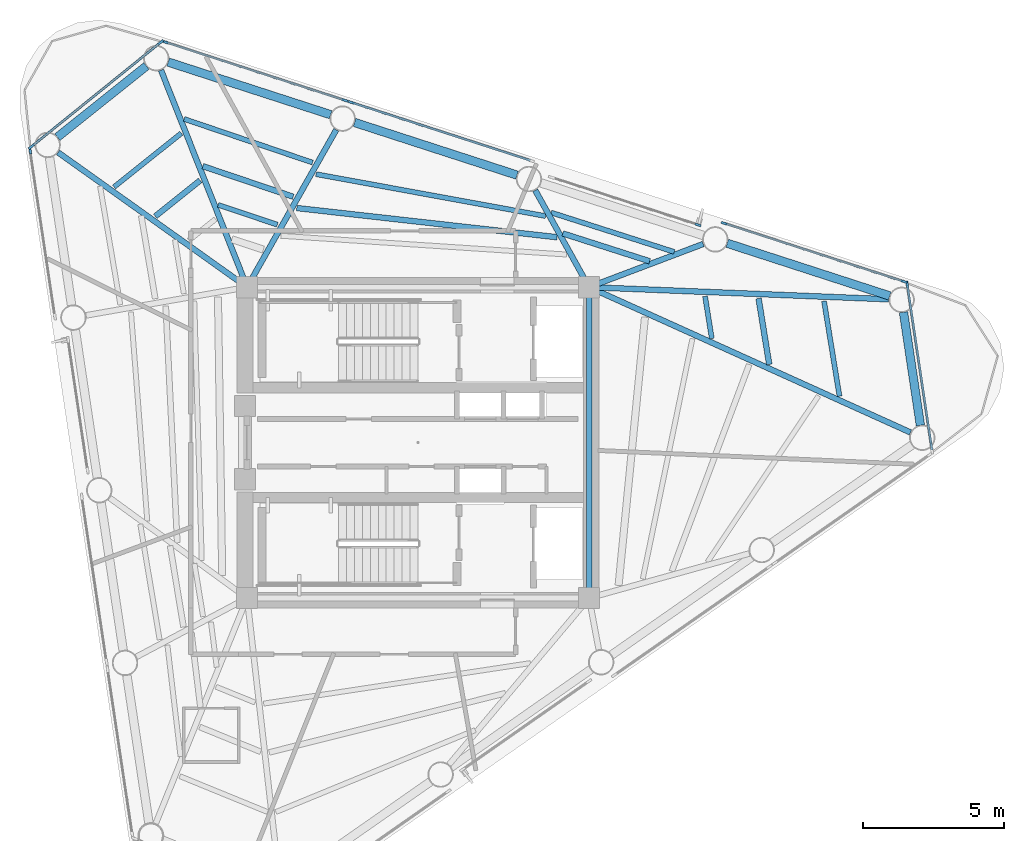
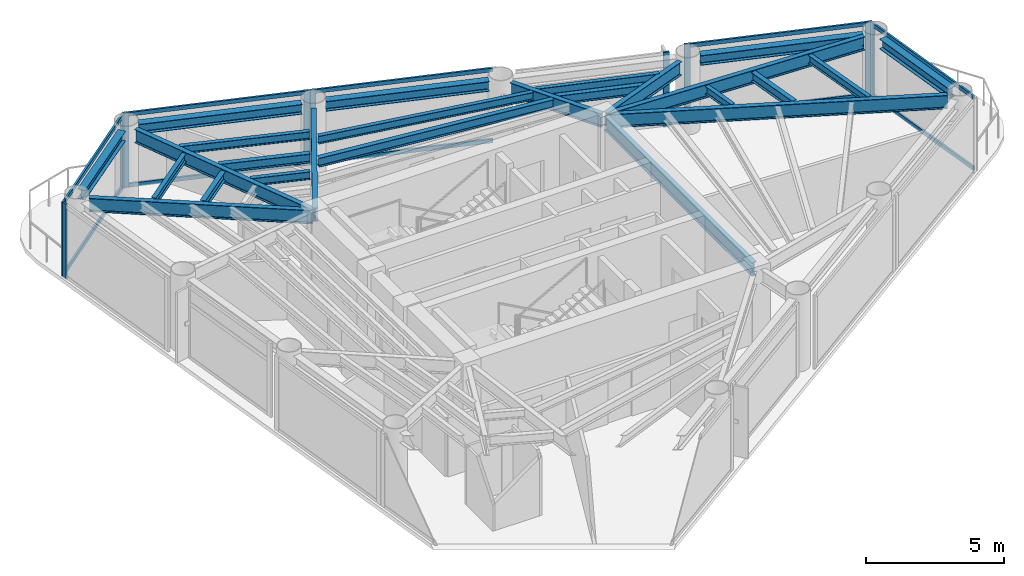
# One storey, part 3 of 9: 25 beams, 20 members, 7 elements without a shape of their own.
"""IFC4 building model written with IfcOpenShell, lengths in metres."""

from ifc_helpers import new_model, si_unit, direction, frame, origin, origin_2d, place, context, subcontext, project, spatial, rectangle, i_section, extrude, source, transform, mapped, material, layer, layer_set, material_profile, profile_set, type_object, element, aggregate, save


model = new_model("IFC4")

# Units and contexts
model_context = context("Model", 3, precision=1e-05, world=origin(), true_north=direction((0.0, 1.0)))
body_context = subcontext(model_context, "Body", "Model", "MODEL_VIEW")
ifc_project = project(units=[si_unit("LENGTHUNIT", "METRE"), si_unit("AREAUNIT", "SQUARE_METRE"), si_unit("VOLUMEUNIT", "CUBIC_METRE"), si_unit("PLANEANGLEUNIT", "RADIAN"), si_unit("MASSUNIT", "GRAM", prefix="KILO")], contexts=[model_context])

# Site, building, storey
site_placement = place(None, origin())
site = spatial("IfcSite", under=ifc_project, at=site_placement, CompositionType="ELEMENT")
building_placement = place(site_placement, origin())
building = spatial("IfcBuilding", under=site, at=building_placement, Name="Yunling Apex Tower", CompositionType="ELEMENT")
storey_placement = place(building_placement, frame((0.0, 0.0, 271.14990234375)))
storey = spatial("IfcBuildingStorey", under=building, at=storey_placement, Name="L66", CompositionType="ELEMENT", Elevation=271.14990234375)

# Beams
ifc_material_1 = material(Name="Steel Q355B", Category="steel")
ifc_material_profile_1 = material_profile(ifc_material_1, i_section(OverallWidth=0.199951171875, OverallDepth=0.60009765625, WebThickness=0.010986328125, FlangeThickness=0.01708984375, FilletRadius=0.02197265625, at=origin_2d()))
ifc_profile_set_1 = profile_set([ifc_material_profile_1], Name="Steel Q355B")
beam_type_1 = type_object("IfcBeamType", Name="BG-PRI-5", PredefinedType="USERDEFINED", material=ifc_profile_set_1)
shared_shape_1 = source(origin(), body_context, "Body", "SweptSolid", [
    extrude(i_section(OverallWidth=0.199951171875, OverallDepth=0.60009765625, WebThickness=0.010986328125, FlangeThickness=0.01708984375, FilletRadius=0.02197265625, at=origin_2d()), origin(), (0.0, 0.0, 1.0), 10.7001953125),
])
beam_1_placement = place(storey_placement, frame((6.050048828125, -5.35009765625, 2.920166015625), z_axis=(0.0, 1.0, 0.0), x_axis=(-1.0, 0.0, 0.0)))
element("IfcBeam", 1, at=beam_1_placement, inside=storey, type_object=beam_type_1, Name="L66 Core Ring Tie Beam 2", ObjectType="GIRDER", PredefinedType="USERDEFINED", context=body_context, shape_type="MappedRepresentation", body=[
    mapped(shared_shape_1, transform((0.0, 0.0, 0.0), scale=1.0)),
])
ifc_material_profile_2 = material_profile(ifc_material_1, i_section(OverallWidth=0.300048828125, OverallDepth=0.43994140625, WebThickness=0.010986328125, FlangeThickness=0.01806640625, FilletRadius=0.02197265625, at=origin_2d()))
ifc_profile_set_2 = profile_set([ifc_material_profile_2], Name="Steel Q355B")
beam_type_2 = type_object("IfcBeamType", Name="BP-SPN-3", PredefinedType="SPANDREL", material=ifc_profile_set_2)
shared_shape_2 = source(origin(), body_context, "Body", "SweptSolid", [
    extrude(i_section(OverallWidth=0.300048828125, OverallDepth=0.43994140625, WebThickness=0.010986328125, FlangeThickness=0.01806640625, FilletRadius=0.02197265625, at=origin_2d()), origin(), (0.0, 0.0, 1.0), 6.043701171875),
])
for number, where, z_axis, x_axis, name in (
    (2, (16.687744140625, 5.189208984375, 3.0), (-0.951260618597, 0.308388124782, 0.0), (-0.308388124782, -0.951260618597, 0.0), "L66 Perimeter Spandrel Beam 6"),
    (3, (3.5, 9.464111328125, 3.0), (-0.951264460229, 0.30837627455, 0.0), (-0.30837627455, -0.951264460229, 0.0), "L66 Perimeter Spandrel Beam 8"),
    (4, (-3.093994140625, 11.601806640625, 3.0), (-0.951276309474, 0.308339720167, 0.0), (-0.308339720167, -0.951276309474, 0.0), "L66 Perimeter Spandrel Beam 9"),
):
    element("IfcBeam", number, at=place(storey_placement, frame(where, z_axis=z_axis, x_axis=x_axis)), inside=storey, type_object=beam_type_2, Name=name, PredefinedType="SPANDREL", context=body_context, shape_type="MappedRepresentation", body=[
        mapped(shared_shape_2, transform((0.0, 0.0, 0.0), scale=1.0)),
    ])
shared_shape_3 = source(origin(), body_context, "Body", "SweptSolid", [
    extrude(i_section(OverallWidth=0.300048828125, OverallDepth=0.43994140625, WebThickness=0.010986328125, FlangeThickness=0.01806640625, FilletRadius=0.02197265625, at=origin_2d()), origin(), (0.0, 0.0, 1.0), 4.047607421875),
])
beam_2_placement = place(storey_placement, frame((17.774169921875, 0.610107421875, 3.0), z_axis=(-0.147836074483, 0.98901187813, 0.0), x_axis=(-0.98901187813, -0.147836074483, 0.0)))
element("IfcBeam", 5, at=beam_2_placement, inside=storey, type_object=beam_type_2, Name="L66 Perimeter Spandrel Beam 5", PredefinedType="SPANDREL", context=body_context, shape_type="MappedRepresentation", body=[
    mapped(shared_shape_3, transform((0.0, 0.0, 0.0), scale=1.0)),
])
shared_shape_4 = source(origin(), body_context, "Body", "SweptSolid", [
    extrude(i_section(OverallWidth=0.300048828125, OverallDepth=0.43994140625, WebThickness=0.010986328125, FlangeThickness=0.01806640625, FilletRadius=0.02197265625, at=origin_2d()), origin(), (0.0, 0.0, 1.0), 4.03125),
])
beam_3_placement = place(storey_placement, frame((-9.612548828125, 13.3251953125, 3.0), z_axis=(-0.781412081213, -0.624015351842, 0.0), x_axis=(0.624015351842, -0.781412081213, 0.0)))
element("IfcBeam", 6, at=beam_3_placement, inside=storey, type_object=beam_type_2, Name="L66 Perimeter Spandrel Beam 10", PredefinedType="SPANDREL", context=body_context, shape_type="MappedRepresentation", body=[
    mapped(shared_shape_4, transform((0.0, 0.0, 0.0), scale=1.0)),
])
shared_shape_5 = source(origin(), body_context, "Body", "SweptSolid", [
    extrude(i_section(OverallWidth=0.199951171875, OverallDepth=0.60009765625, WebThickness=0.010986328125, FlangeThickness=0.01708984375, FilletRadius=0.02197265625, at=origin_2d()), origin(), (0.0, 0.0, 1.0), 12.400146484375),
])
beam_4_placement = place(storey_placement, frame((17.42236328125, 0.359619140625, 2.920166015625), z_axis=(-0.911237617223, 0.411881056809, 0.0), x_axis=(-0.411881056809, -0.911237617223, 0.0)))
element("IfcBeam", 7, at=beam_4_placement, inside=storey, type_object=beam_type_1, Name="L66 Radial Primary Girder R05", ObjectType="GIRDER", PredefinedType="USERDEFINED", context=body_context, shape_type="MappedRepresentation", body=[
    mapped(shared_shape_5, transform((0.0, 0.0, 0.0), scale=1.0)),
])
shared_shape_6 = source(origin(), body_context, "Body", "SweptSolid", [
    extrude(i_section(OverallWidth=0.199951171875, OverallDepth=0.60009765625, WebThickness=0.010986328125, FlangeThickness=0.01708984375, FilletRadius=0.02197265625, at=origin_2d()), origin(), (0.0, 0.0, 1.0), 10.53125),
])
beam_5_placement = place(storey_placement, frame((16.652587890625, 5.07080078125, 2.920166015625), z_axis=(-0.99918143594, 0.040453158992, 0.0), x_axis=(-0.040453158992, -0.99918143594, 0.0)))
element("IfcBeam", 8, at=beam_5_placement, inside=storey, type_object=beam_type_1, Name="L66 Radial Primary Girder R06", ObjectType="GIRDER", PredefinedType="USERDEFINED", context=body_context, shape_type="MappedRepresentation", body=[
    mapped(shared_shape_6, transform((0.0, 0.0, 0.0), scale=1.0)),
])
shared_shape_7 = source(origin(), body_context, "Body", "SweptSolid", [
    extrude(i_section(OverallWidth=0.199951171875, OverallDepth=0.60009765625, WebThickness=0.010986328125, FlangeThickness=0.01708984375, FilletRadius=0.02197265625, at=origin_2d()), origin(), (0.0, 0.0, 1.0), 4.2373046875),
])
beam_6_placement = place(storey_placement, frame((10.087890625, 7.02783203125, 2.920166015625), z_axis=(-0.935290380754, -0.353881199938, 0.0), x_axis=(0.353881199938, -0.935290380754, 0.0)))
element("IfcBeam", 9, at=beam_6_placement, inside=storey, type_object=beam_type_1, Name="L66 Radial Primary Girder R07", ObjectType="GIRDER", PredefinedType="USERDEFINED", context=body_context, shape_type="MappedRepresentation", body=[
    mapped(shared_shape_7, transform((0.0, 0.0, 0.0), scale=1.0)),
])
shared_shape_8 = source(origin(), body_context, "Body", "SweptSolid", [
    extrude(i_section(OverallWidth=0.199951171875, OverallDepth=0.60009765625, WebThickness=0.010986328125, FlangeThickness=0.01708984375, FilletRadius=0.02197265625, at=origin_2d()), origin(), (0.0, 0.0, 1.0), 3.841064453125),
])
beam_7_placement = place(storey_placement, frame((4.144775390625, 8.927001953125, 2.920166015625), z_axis=(0.485864181632, -0.874034322557, 0.0), x_axis=(0.874034322557, 0.485864181632, 0.0)))
element("IfcBeam", 10, at=beam_7_placement, inside=storey, type_object=beam_type_1, Name="L66 Radial Primary Girder R08", ObjectType="GIRDER", PredefinedType="USERDEFINED", context=body_context, shape_type="MappedRepresentation", body=[
    mapped(shared_shape_8, transform((0.0, 0.0, 0.0), scale=1.0)),
])
shared_shape_9 = source(origin(), body_context, "Body", "SweptSolid", [
    extrude(i_section(OverallWidth=0.199951171875, OverallDepth=0.60009765625, WebThickness=0.010986328125, FlangeThickness=0.01708984375, FilletRadius=0.02197265625, at=origin_2d()), origin(), (0.0, 0.0, 1.0), 6.317138671875),
])
beam_8_placement = place(storey_placement, frame((-2.8974609375, 11.06640625, 2.920166015625), z_axis=(-0.492793153417, -0.870146486487, 0.0), x_axis=(0.870146486487, -0.492793153417, 0.0)))
element("IfcBeam", 11, at=beam_8_placement, inside=storey, type_object=beam_type_1, Name="L66 Radial Primary Girder R09", ObjectType="GIRDER", PredefinedType="USERDEFINED", context=body_context, shape_type="MappedRepresentation", body=[
    mapped(shared_shape_9, transform((0.0, 0.0, 0.0), scale=1.0)),
])
shared_shape_10 = source(origin(), body_context, "Body", "SweptSolid", [
    extrude(i_section(OverallWidth=0.199951171875, OverallDepth=0.60009765625, WebThickness=0.010986328125, FlangeThickness=0.01708984375, FilletRadius=0.02197265625, at=origin_2d()), origin(), (0.0, 0.0, 1.0), 8.178955078125),
])
beam_9_placement = place(storey_placement, frame((-9.0966796875, 13.176513671875, 2.920166015625), z_axis=(0.368888092437, -0.929473816338, 0.0), x_axis=(0.929473816338, 0.368888092437, 0.0)))
element("IfcBeam", 12, at=beam_9_placement, inside=storey, type_object=beam_type_1, Name="L66 Radial Primary Girder R10", ObjectType="GIRDER", PredefinedType="USERDEFINED", context=body_context, shape_type="MappedRepresentation", body=[
    mapped(shared_shape_10, transform((0.0, 0.0, 0.0), scale=1.0)),
])
shared_shape_11 = source(origin(), body_context, "Body", "SweptSolid", [
    extrude(i_section(OverallWidth=0.199951171875, OverallDepth=0.60009765625, WebThickness=0.010986328125, FlangeThickness=0.01708984375, FilletRadius=0.02197265625, at=origin_2d()), origin(), (0.0, 0.0, 1.0), 8.132080078125),
])
beam_10_placement = place(storey_placement, frame((-12.73681640625, 10.2666015625, 2.920166015625), z_axis=(0.814294994921, -0.580451256564, 0.0), x_axis=(0.580451256564, 0.814294994921, 0.0)))
element("IfcBeam", 13, at=beam_10_placement, inside=storey, type_object=beam_type_1, Name="L66 Radial Primary Girder R11", ObjectType="GIRDER", PredefinedType="USERDEFINED", context=body_context, shape_type="MappedRepresentation", body=[
    mapped(shared_shape_11, transform((0.0, 0.0, 0.0), scale=1.0)),
])
ifc_material_profile_3 = material_profile(ifc_material_1, i_section(OverallWidth=0.199951171875, OverallDepth=0.39990234375, WebThickness=0.008056640625, FlangeThickness=0.012939453125, FilletRadius=0.01611328125, at=origin_2d()))
ifc_profile_set_3 = profile_set([ifc_material_profile_3], Name="Steel Q355B")
beam_type_3 = type_object("IfcBeamType", Name="BS-SEC-4", PredefinedType="BEAM", material=ifc_profile_set_3)
shared_shape_12 = source(origin(), body_context, "Body", "SweptSolid", [
    extrude(i_section(OverallWidth=0.199951171875, OverallDepth=0.39990234375, WebThickness=0.008056640625, FlangeThickness=0.012939453125, FilletRadius=0.01611328125, at=origin_2d()), origin(), (0.0, 0.0, 1.0), 2.36572265625),
])
beam_11_placement = place(storey_placement, frame((12.425048828125, 2.764892578125, 3.02001953125), z_axis=(-0.159342756426, 0.987223321227, 0.0), x_axis=(-0.987223321227, -0.159342756426, 0.0)))
element("IfcBeam", 14, at=beam_11_placement, inside=storey, type_object=beam_type_3, Name="L66 Composite Floor Beam BS-5", PredefinedType="BEAM", context=body_context, shape_type="MappedRepresentation", body=[
    mapped(shared_shape_12, transform((0.0, 0.0, 0.0), scale=1.0)),
])
ifc_material_profile_4 = material_profile(ifc_material_1, i_section(OverallWidth=0.175048828125, OverallDepth=0.35009765625, WebThickness=0.007080078125, FlangeThickness=0.010986328125, FilletRadius=0.013916015625, at=origin_2d()))
ifc_profile_set_4 = profile_set([ifc_material_profile_4], Name="Steel Q355B")
beam_type_4 = type_object("IfcBeamType", Name="BJ-JST-1", PredefinedType="JOIST", material=ifc_profile_set_4)
shared_shape_13 = source(origin(), body_context, "Body", "SweptSolid", [
    extrude(i_section(OverallWidth=0.175048828125, OverallDepth=0.35009765625, WebThickness=0.007080078125, FlangeThickness=0.010986328125, FilletRadius=0.013916015625, at=origin_2d()), origin(), (0.0, 0.0, 1.0), 3.40966796875),
])
beam_12_placement = place(storey_placement, frame((14.910888671875, 1.64111328125, 3.045166015625), z_axis=(-0.160600982695, 0.987019414377, 0.0), x_axis=(-0.987019414377, -0.160600982695, 0.0)))
element("IfcBeam", 15, at=beam_12_placement, inside=storey, type_object=beam_type_4, Name="L66 Composite Floor Joist BJ1-5", PredefinedType="JOIST", context=body_context, shape_type="MappedRepresentation", body=[
    mapped(shared_shape_13, transform((0.0, 0.0, 0.0), scale=1.0)),
])
shared_shape_14 = source(origin(), body_context, "Body", "SweptSolid", [
    extrude(i_section(OverallWidth=0.175048828125, OverallDepth=0.35009765625, WebThickness=0.007080078125, FlangeThickness=0.010986328125, FilletRadius=0.013916015625, at=origin_2d()), origin(), (0.0, 0.0, 1.0), 1.51171875),
])
beam_13_placement = place(storey_placement, frame((10.3916015625, 3.68408203125, 3.045166015625), z_axis=(-0.157297614413, 0.987551244493, 0.0), x_axis=(-0.987551244493, -0.157297614413, 0.0)))
element("IfcBeam", 16, at=beam_13_placement, inside=storey, type_object=beam_type_4, Name="L66 Composite Floor Joist BJ3-5", PredefinedType="JOIST", context=body_context, shape_type="MappedRepresentation", body=[
    mapped(shared_shape_14, transform((0.0, 0.0, 0.0), scale=1.0)),
])
shared_shape_15 = source(origin(), body_context, "Body", "SweptSolid", [
    extrude(i_section(OverallWidth=0.199951171875, OverallDepth=0.39990234375, WebThickness=0.008056640625, FlangeThickness=0.012939453125, FilletRadius=0.01611328125, at=origin_2d()), origin(), (0.0, 0.0, 1.0), 3.22705078125),
])
beam_14_placement = place(storey_placement, frame((8.191650390625, 6.416748046875, 3.02001953125), z_axis=(-0.952339781695, 0.305039243708, 0.0), x_axis=(-0.305039243708, -0.952339781695, 0.0)))
element("IfcBeam", 17, at=beam_14_placement, inside=storey, type_object=beam_type_3, Name="L66 Composite Floor Beam BS-7", PredefinedType="BEAM", context=body_context, shape_type="MappedRepresentation", body=[
    mapped(shared_shape_15, transform((0.0, 0.0, 0.0), scale=1.0)),
])
shared_shape_16 = source(origin(), body_context, "Body", "SweptSolid", [
    extrude(i_section(OverallWidth=0.175048828125, OverallDepth=0.35009765625, WebThickness=0.007080078125, FlangeThickness=0.010986328125, FilletRadius=0.013916015625, at=origin_2d()), origin(), (0.0, 0.0, 1.0), 4.572998046875),
])
beam_15_placement = place(storey_placement, frame((9.0634765625, 6.74658203125, 3.045166015625), z_axis=(-0.952472485452, 0.304624628776, 0.0), x_axis=(-0.304624628776, -0.952472485452, 0.0)))
element("IfcBeam", 18, at=beam_15_placement, inside=storey, type_object=beam_type_4, Name="L66 Composite Floor Joist BJ1-7", PredefinedType="JOIST", context=body_context, shape_type="MappedRepresentation", body=[
    mapped(shared_shape_16, transform((0.0, 0.0, 0.0), scale=1.0)),
])
shared_shape_17 = source(origin(), body_context, "Body", "SweptSolid", [
    extrude(i_section(OverallWidth=0.199951171875, OverallDepth=0.39990234375, WebThickness=0.008056640625, FlangeThickness=0.012939453125, FilletRadius=0.01611328125, at=origin_2d()), origin(), (0.0, 0.0, 1.0), 9.271728515625),
])
beam_16_placement = place(storey_placement, frame((4.9189453125, 7.266357421875, 3.02001953125), z_axis=(-0.993765641634, 0.111489234941, 0.0), x_axis=(-0.111489234941, -0.993765641634, 0.0)))
element("IfcBeam", 19, at=beam_16_placement, inside=storey, type_object=beam_type_3, Name="L66 Composite Floor Beam BS-8", PredefinedType="BEAM", context=body_context, shape_type="MappedRepresentation", body=[
    mapped(shared_shape_17, transform((0.0, 0.0, 0.0), scale=1.0)),
])
shared_shape_18 = source(origin(), body_context, "Body", "SweptSolid", [
    extrude(i_section(OverallWidth=0.175048828125, OverallDepth=0.35009765625, WebThickness=0.007080078125, FlangeThickness=0.010986328125, FilletRadius=0.013916015625, at=origin_2d()), origin(), (0.0, 0.0, 1.0), 8.256103515625),
])
beam_17_placement = place(storey_placement, frame((4.510009765625, 8.015625, 3.045166015625), z_axis=(-0.983737162393, 0.179614017626, 0.0), x_axis=(-0.179614017626, -0.983737162393, 0.0)))
element("IfcBeam", 20, at=beam_17_placement, inside=storey, type_object=beam_type_4, Name="L66 Composite Floor Joist BJ1-8", PredefinedType="JOIST", context=body_context, shape_type="MappedRepresentation", body=[
    mapped(shared_shape_18, transform((0.0, 0.0, 0.0), scale=1.0)),
])
shared_shape_19 = source(origin(), body_context, "Body", "SweptSolid", [
    extrude(i_section(OverallWidth=0.199951171875, OverallDepth=0.39990234375, WebThickness=0.008056640625, FlangeThickness=0.012939453125, FilletRadius=0.01611328125, at=origin_2d()), origin(), (0.0, 0.0, 1.0), 3.37646484375),
])
beam_18_placement = place(storey_placement, frame((-4.418701171875, 8.698974609375, 3.02001953125), z_axis=(-0.947337172377, 0.320237851966, 0.0), x_axis=(-0.320237851966, -0.947337172377, 0.0)))
element("IfcBeam", 21, at=beam_18_placement, inside=storey, type_object=beam_type_3, Name="L66 Composite Floor Beam BS-9", PredefinedType="BEAM", context=body_context, shape_type="MappedRepresentation", body=[
    mapped(shared_shape_19, transform((0.0, 0.0, 0.0), scale=1.0)),
])
shared_shape_20 = source(origin(), body_context, "Body", "SweptSolid", [
    extrude(i_section(OverallWidth=0.175048828125, OverallDepth=0.35009765625, WebThickness=0.007080078125, FlangeThickness=0.010986328125, FilletRadius=0.013916015625, at=origin_2d()), origin(), (0.0, 0.0, 1.0), 4.802490234375),
])
beam_19_placement = place(storey_placement, frame((-3.73388671875, 9.908447265625, 3.045166015625), z_axis=(-0.946894147211, 0.32154544621, 0.0), x_axis=(-0.32154544621, -0.946894147211, 0.0)))
element("IfcBeam", 22, at=beam_19_placement, inside=storey, type_object=beam_type_4, Name="L66 Composite Floor Joist BJ1-9", PredefinedType="JOIST", context=body_context, shape_type="MappedRepresentation", body=[
    mapped(shared_shape_20, transform((0.0, 0.0, 0.0), scale=1.0)),
])
shared_shape_21 = source(origin(), body_context, "Body", "SweptSolid", [
    extrude(i_section(OverallWidth=0.175048828125, OverallDepth=0.35009765625, WebThickness=0.007080078125, FlangeThickness=0.010986328125, FilletRadius=0.013916015625, at=origin_2d()), origin(), (0.0, 0.0, 1.0), 2.209716796875),
])
beam_20_placement = place(storey_placement, frame((-4.979248046875, 7.709228515625, 3.045166015625), z_axis=(-0.948029450248, 0.318182591389, 0.0), x_axis=(-0.318182591389, -0.948029450248, 0.0)))
element("IfcBeam", 23, at=beam_20_placement, inside=storey, type_object=beam_type_4, Name="L66 Composite Floor Joist BJ3-9", PredefinedType="JOIST", context=body_context, shape_type="MappedRepresentation", body=[
    mapped(shared_shape_21, transform((0.0, 0.0, 0.0), scale=1.0)),
])
shared_shape_22 = source(origin(), body_context, "Body", "SweptSolid", [
    extrude(i_section(OverallWidth=0.199951171875, OverallDepth=0.39990234375, WebThickness=0.008056640625, FlangeThickness=0.012939453125, FilletRadius=0.01611328125, at=origin_2d()), origin(), (0.0, 0.0, 1.0), 2.032958984375),
])
beam_21_placement = place(storey_placement, frame((-7.712890625, 9.275634765625, 3.02001953125), z_axis=(-0.781161617118, -0.624328862013, 0.0), x_axis=(0.624328862013, -0.781161617118, 0.0)))
element("IfcBeam", 24, at=beam_21_placement, inside=storey, type_object=beam_type_3, Name="L66 Composite Floor Beam BS-10", PredefinedType="BEAM", context=body_context, shape_type="MappedRepresentation", body=[
    mapped(shared_shape_22, transform((0.0, 0.0, 0.0), scale=1.0)),
])
shared_shape_23 = source(origin(), body_context, "Body", "SweptSolid", [
    extrude(i_section(OverallWidth=0.175048828125, OverallDepth=0.35009765625, WebThickness=0.007080078125, FlangeThickness=0.010986328125, FilletRadius=0.013916015625, at=origin_2d()), origin(), (0.0, 0.0, 1.0), 3.048095703125),
])
beam_22_placement = place(storey_placement, frame((-8.376708984375, 10.947998046875, 3.045166015625), z_axis=(-0.78115784601, -0.624333580401, 0.0), x_axis=(0.624333580401, -0.78115784601, 0.0)))
element("IfcBeam", 25, at=beam_22_placement, inside=storey, type_object=beam_type_4, Name="L66 Composite Floor Joist BJ1-10", PredefinedType="JOIST", context=body_context, shape_type="MappedRepresentation", body=[
    mapped(shared_shape_23, transform((0.0, 0.0, 0.0), scale=1.0)),
])

# Curtain wall, member
ifc_material_2 = material(Name="Bronze anodised aluminium", Category="aluminium")
ifc_layer = layer(ifc_material_2, 0.219970703125)
ifc_layer_set = layer_set([ifc_layer], Name="Bronze anodised aluminium")
curtain_wall_type = type_object("IfcCurtainWallType", Name="CW-SYS-4", PredefinedType="NOTDEFINED", material=ifc_layer_set)
curtain_wall_1_placement = place(storey_placement, origin())
curtain_wall_1 = element("IfcCurtainWall", 26, at=curtain_wall_1_placement, inside=storey, type_object=curtain_wall_type, Name="CW-L66-CRN1", PredefinedType="NOTDEFINED")
ifc_material_profile_5 = material_profile(ifc_material_2, rectangle(XDim=0.080078125, YDim=0.219970703125, at=origin_2d()))
ifc_profile_set_5 = profile_set([ifc_material_profile_5], Name="Bronze anodised aluminium")
member_type_1 = type_object("IfcMemberType", Name="CW-MUL-4", PredefinedType="MULLION", material=ifc_profile_set_5)
shared_shape_24 = source(origin(), body_context, "Body", "SweptSolid", [
    extrude(rectangle(XDim=0.080078125, YDim=0.219970703125, at=origin_2d()), origin(), (0.0, 0.0, 1.0), 3.31982421875),
])
member_1_placement = place(storey_placement, frame((17.307373046875, 5.6025390625, -0.0498046875), z_axis=(0.0, 0.0, 1.0), x_axis=(-0.989016885218, -0.147802573571, 0.0)))
member_1 = element("IfcMember", 27, at=member_1_placement, type_object=member_type_1, Name="CW-SYS-4 mullion 2", PredefinedType="MULLION", context=body_context, shape_type="MappedRepresentation", body=[
    mapped(shared_shape_24, transform((0.0, 0.0, 0.0), scale=1.0)),
])

# Curtain wall, members
curtain_wall_2_placement = place(storey_placement, origin())
curtain_wall_2 = element("IfcCurtainWall", 28, at=curtain_wall_2_placement, inside=storey, type_object=curtain_wall_type, Name="CW-L66-F2-B1", PredefinedType="NOTDEFINED")
member_2_placement = place(storey_placement, frame((17.193359375, 5.6982421875, -0.0498046875), z_axis=(0.0, 0.0, 1.0), x_axis=(-0.308353381834, -0.951271881173, 0.0)))
member_2 = element("IfcMember", 29, at=member_2_placement, type_object=member_type_1, Name="CW-SYS-4 mullion 1", PredefinedType="MULLION", context=body_context, shape_type="MappedRepresentation", body=[
    mapped(shared_shape_24, transform((0.0, 0.0, 0.0), scale=1.0)),
])
member_3_placement = place(storey_placement, frame((10.82763671875, 7.76171875, -0.0498046875), z_axis=(0.0, 0.0, 1.0), x_axis=(-0.308353381834, -0.951271881173, 0.0)))
member_3 = element("IfcMember", 30, at=member_3_placement, type_object=member_type_1, Name="CW-SYS-4 mullion 2", PredefinedType="MULLION", context=body_context, shape_type="MappedRepresentation", body=[
    mapped(shared_shape_24, transform((0.0, 0.0, 0.0), scale=1.0)),
])

# Curtain wall, member
curtain_wall_3_placement = place(storey_placement, origin())
curtain_wall_3 = element("IfcCurtainWall", 31, at=curtain_wall_3_placement, inside=storey, type_object=curtain_wall_type, Name="CW-L66-F2-B2", PredefinedType="NOTDEFINED")
member_4_placement = place(storey_placement, frame((9.90478515625, 7.703369140625, -0.0498046875), z_axis=(0.0, 0.0, 1.0), x_axis=(-0.30836941685, -0.951266683297, 0.0)))
member_4 = element("IfcMember", 32, at=member_4_placement, type_object=member_type_1, Name="CW-SYS-4 mullion 1", PredefinedType="MULLION", context=body_context, shape_type="MappedRepresentation", body=[
    mapped(shared_shape_24, transform((0.0, 0.0, 0.0), scale=1.0)),
])
aggregate(curtain_wall_3, [member_4])

curtain_wall_4_placement = place(storey_placement, origin())
curtain_wall_4 = element("IfcCurtainWall", 33, at=curtain_wall_4_placement, inside=storey, type_object=curtain_wall_type, Name="CW-L66-F2-B3", PredefinedType="NOTDEFINED")
member_5_placement = place(storey_placement, frame((-2.360107421875, 12.03662109375, -0.0498046875), z_axis=(0.0, 0.0, 1.0), x_axis=(-0.308371076658, -0.95126614524, 0.0)))
member_5 = element("IfcMember", 34, at=member_5_placement, type_object=member_type_1, Name="CW-SYS-4 mullion 2", PredefinedType="MULLION", context=body_context, shape_type="MappedRepresentation", body=[
    mapped(shared_shape_24, transform((0.0, 0.0, 0.0), scale=1.0)),
])

# Curtain wall, members
curtain_wall_5_placement = place(storey_placement, origin())
curtain_wall_5 = element("IfcCurtainWall", 35, at=curtain_wall_5_placement, inside=storey, type_object=curtain_wall_type, Name="CW-L66-F2-B4", PredefinedType="NOTDEFINED")
member_6_placement = place(storey_placement, frame((-2.58837890625, 12.110595703125, -0.0498046875), z_axis=(0.0, 0.0, 1.0), x_axis=(-0.308353381834, -0.951271881173, 0.0)))
member_6 = element("IfcMember", 36, at=member_6_placement, type_object=member_type_1, Name="CW-SYS-4 mullion 1", PredefinedType="MULLION", context=body_context, shape_type="MappedRepresentation", body=[
    mapped(shared_shape_24, transform((0.0, 0.0, 0.0), scale=1.0)),
])
member_7_placement = place(storey_placement, frame((-8.9541015625, 14.174072265625, -0.0498046875), z_axis=(0.0, 0.0, 1.0), x_axis=(-0.308353381834, -0.951271881173, 0.0)))
member_7 = element("IfcMember", 37, at=member_7_placement, type_object=member_type_1, Name="CW-SYS-4 mullion 2", PredefinedType="MULLION", context=body_context, shape_type="MappedRepresentation", body=[
    mapped(shared_shape_24, transform((0.0, 0.0, 0.0), scale=1.0)),
])

curtain_wall_6_placement = place(storey_placement, origin())
curtain_wall_6 = element("IfcCurtainWall", 38, at=curtain_wall_6_placement, inside=storey, type_object=curtain_wall_type, Name="CW-L66-CRN2", PredefinedType="NOTDEFINED")
member_8_placement = place(storey_placement, frame((-9.10546875, 14.1669921875, -0.0498046875), z_axis=(0.0, 0.0, 1.0), x_axis=(0.627988675266, -0.778222477019, 0.0)))
member_8 = element("IfcMember", 39, at=member_8_placement, type_object=member_type_1, Name="CW-SYS-4 mullion 1", PredefinedType="MULLION", context=body_context, shape_type="MappedRepresentation", body=[
    mapped(shared_shape_24, transform((0.0, 0.0, 0.0), scale=1.0)),
])
member_9_placement = place(storey_placement, frame((-13.69189453125, 10.4658203125, -0.0498046875), z_axis=(0.0, 0.0, 1.0), x_axis=(0.627988675266, -0.778222477019, 0.0)))
member_9 = element("IfcMember", 40, at=member_9_placement, type_object=member_type_1, Name="CW-SYS-4 mullion 2", PredefinedType="MULLION", context=body_context, shape_type="MappedRepresentation", body=[
    mapped(shared_shape_24, transform((0.0, 0.0, 0.0), scale=1.0)),
])

# Curtain wall, member
curtain_wall_7_placement = place(storey_placement, origin())
curtain_wall_7 = element("IfcCurtainWall", 41, at=curtain_wall_7_placement, inside=storey, type_object=curtain_wall_type, Name="CW-L66-F3-B1", PredefinedType="NOTDEFINED")
member_10_placement = place(storey_placement, frame((-13.72509765625, 10.3193359375, -0.0498046875), z_axis=(0.0, 0.0, 1.0), x_axis=(0.989016174309, 0.147807330522, 0.0)))
member_10 = element("IfcMember", 42, at=member_10_placement, type_object=member_type_1, Name="CW-SYS-4 mullion 1", PredefinedType="MULLION", context=body_context, shape_type="MappedRepresentation", body=[
    mapped(shared_shape_24, transform((0.0, 0.0, 0.0), scale=1.0)),
])
aggregate(curtain_wall_7, [member_10])

# Member
ifc_material_profile_6 = material_profile(ifc_material_2, rectangle(XDim=0.080078125, YDim=0.169921875, at=origin_2d()))
ifc_profile_set_6 = profile_set([ifc_material_profile_6], Name="Bronze anodised aluminium")
member_type_2 = type_object("IfcMemberType", Name="CW-TRN-4", PredefinedType="USERDEFINED", material=ifc_profile_set_6)
shared_shape_25 = source(origin(), body_context, "Body", "SweptSolid", [
    extrude(rectangle(XDim=0.080078125, YDim=0.169921875, at=origin_2d()), origin(), (0.0, 0.0, 1.0), 6.61962890625),
])
member_11_placement = place(storey_placement, frame((-2.622802734375, 12.121826171875, 0.0400390625), z_axis=(-0.951269317575, 0.308361290437, 0.0), x_axis=(-0.308361290437, -0.951269317575, 0.0)))
member_11 = element("IfcMember", 43, at=member_11_placement, type_object=member_type_2, Name="CW-SYS-4 transom 1.1", ObjectType="TRANSOM", PredefinedType="USERDEFINED", context=body_context, shape_type="MappedRepresentation", body=[
    mapped(shared_shape_25, transform((0.0, 0.0, 0.0), scale=1.0)),
])

member_12_placement = place(storey_placement, frame((-2.622802734375, 12.121826171875, 3.18017578125), z_axis=(-0.951269317575, 0.308361290437, 0.0), x_axis=(-0.308361290437, -0.951269317575, 0.0)))
member_12 = element("IfcMember", 44, at=member_12_placement, type_object=member_type_2, Name="CW-SYS-4 transom 1.2", ObjectType="TRANSOM", PredefinedType="USERDEFINED", context=body_context, shape_type="MappedRepresentation", body=[
    mapped(shared_shape_25, transform((0.0, 0.0, 0.0), scale=1.0)),
])

aggregate(curtain_wall_5, [member_6, member_7, member_11, member_12])

shared_shape_26 = source(origin(), body_context, "Body", "SweptSolid", [
    extrude(rectangle(XDim=0.080078125, YDim=0.169921875, at=origin_2d()), origin(), (0.0, 0.0, 1.0), 6.619873046875),
])
member_13_placement = place(storey_placement, frame((17.1591796875, 5.709228515625, 0.0400390625), z_axis=(-0.951272824274, 0.308350472348, 0.0), x_axis=(-0.308350472348, -0.951272824274, 0.0)))
member_13 = element("IfcMember", 45, at=member_13_placement, type_object=member_type_2, Name="CW-SYS-4 transom 1.1", ObjectType="TRANSOM", PredefinedType="USERDEFINED", context=body_context, shape_type="MappedRepresentation", body=[
    mapped(shared_shape_26, transform((0.0, 0.0, 0.0), scale=1.0)),
])

member_14_placement = place(storey_placement, frame((17.1591796875, 5.709228515625, 3.18017578125), z_axis=(-0.951272824274, 0.308350472348, 0.0), x_axis=(-0.308350472348, -0.951272824274, 0.0)))
member_14 = element("IfcMember", 46, at=member_14_placement, type_object=member_type_2, Name="CW-SYS-4 transom 1.2", ObjectType="TRANSOM", PredefinedType="USERDEFINED", context=body_context, shape_type="MappedRepresentation", body=[
    mapped(shared_shape_26, transform((0.0, 0.0, 0.0), scale=1.0)),
])

aggregate(curtain_wall_2, [member_2, member_3, member_13, member_14])

member_15_placement = place(storey_placement, frame((3.97119140625, 9.984130859375, 0.0400390625), z_axis=(-0.951258498664, 0.308394663895, 0.0), x_axis=(-0.308394663895, -0.951258498664, 0.0)))
member_15 = element("IfcMember", 47, at=member_15_placement, type_object=member_type_2, Name="CW-SYS-4 transom 1.1", ObjectType="TRANSOM", PredefinedType="USERDEFINED", context=body_context, shape_type="MappedRepresentation", body=[
    mapped(shared_shape_26, transform((0.0, 0.0, 0.0), scale=1.0)),
])

member_16_placement = place(storey_placement, frame((3.97119140625, 9.984130859375, 3.18017578125), z_axis=(-0.951258498664, 0.308394663895, 0.0), x_axis=(-0.308394663895, -0.951258498664, 0.0)))
member_16 = element("IfcMember", 48, at=member_16_placement, type_object=member_type_2, Name="CW-SYS-4 transom 1.2", ObjectType="TRANSOM", PredefinedType="USERDEFINED", context=body_context, shape_type="MappedRepresentation", body=[
    mapped(shared_shape_26, transform((0.0, 0.0, 0.0), scale=1.0)),
])

aggregate(curtain_wall_4, [member_5, member_15, member_16])

shared_shape_27 = source(origin(), body_context, "Body", "SweptSolid", [
    extrude(rectangle(XDim=0.080078125, YDim=0.169921875, at=origin_2d()), origin(), (0.0, 0.0, 1.0), 5.89404296875),
])
member_17_placement = place(storey_placement, frame((18.183837890625, -0.26220703125, 0.0400390625), z_axis=(-0.147791520702, 0.989018536939, 0.0), x_axis=(-0.989018536939, -0.147791520702, 0.0)))
member_17 = element("IfcMember", 49, at=member_17_placement, type_object=member_type_2, Name="CW-SYS-4 transom 1.1", ObjectType="TRANSOM", PredefinedType="USERDEFINED", context=body_context, shape_type="MappedRepresentation", body=[
    mapped(shared_shape_27, transform((0.0, 0.0, 0.0), scale=1.0)),
])

member_18_placement = place(storey_placement, frame((18.183837890625, -0.26220703125, 3.18017578125), z_axis=(-0.147791520702, 0.989018536939, 0.0), x_axis=(-0.989018536939, -0.147791520702, 0.0)))
member_18 = element("IfcMember", 50, at=member_18_placement, type_object=member_type_2, Name="CW-SYS-4 transom 1.2", ObjectType="TRANSOM", PredefinedType="USERDEFINED", context=body_context, shape_type="MappedRepresentation", body=[
    mapped(shared_shape_27, transform((0.0, 0.0, 0.0), scale=1.0)),
])

aggregate(curtain_wall_1, [member_1, member_17, member_18])

shared_shape_28 = source(origin(), body_context, "Body", "SweptSolid", [
    extrude(rectangle(XDim=0.080078125, YDim=0.169921875, at=origin_2d()), origin(), (0.0, 0.0, 1.0), 5.8212890625),
])
member_19_placement = place(storey_placement, frame((-9.133544921875, 14.144287109375, 0.0400390625), z_axis=(-0.778218644613, -0.627993424469, 0.0), x_axis=(0.627993424469, -0.778218644613, 0.0)))
member_19 = element("IfcMember", 51, at=member_19_placement, type_object=member_type_2, Name="CW-SYS-4 transom 1.1", ObjectType="TRANSOM", PredefinedType="USERDEFINED", context=body_context, shape_type="MappedRepresentation", body=[
    mapped(shared_shape_28, transform((0.0, 0.0, 0.0), scale=1.0)),
])

member_20_placement = place(storey_placement, frame((-9.133544921875, 14.144287109375, 3.18017578125), z_axis=(-0.778218644613, -0.627993424469, 0.0), x_axis=(0.627993424469, -0.778218644613, 0.0)))
member_20 = element("IfcMember", 52, at=member_20_placement, type_object=member_type_2, Name="CW-SYS-4 transom 1.2", ObjectType="TRANSOM", PredefinedType="USERDEFINED", context=body_context, shape_type="MappedRepresentation", body=[
    mapped(shared_shape_28, transform((0.0, 0.0, 0.0), scale=1.0)),
])

aggregate(curtain_wall_6, [member_8, member_9, member_19, member_20])

save(model, "model.ifc")
